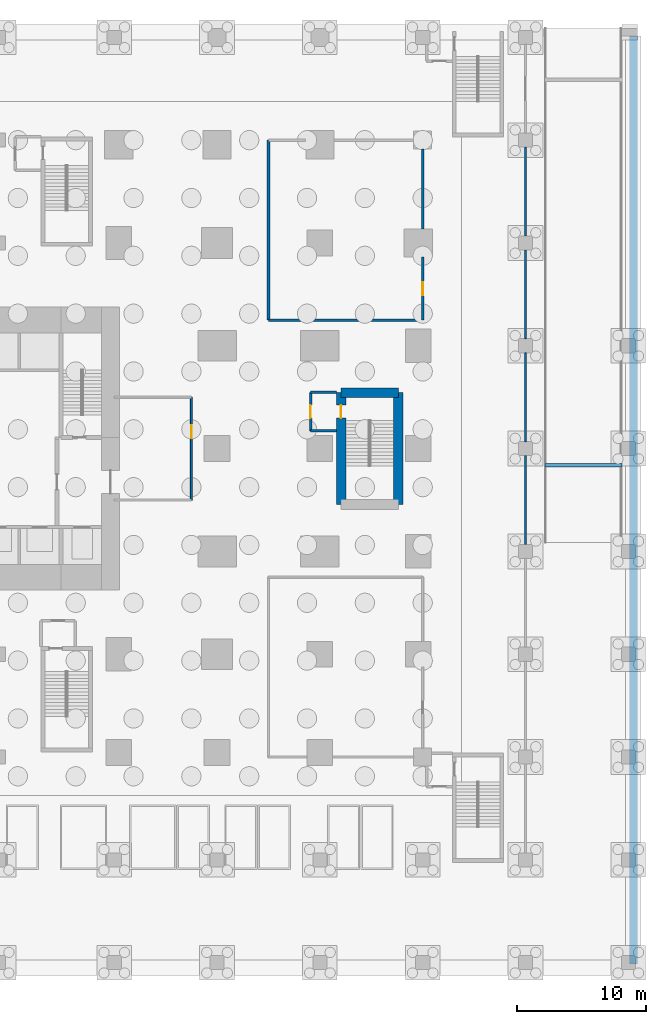
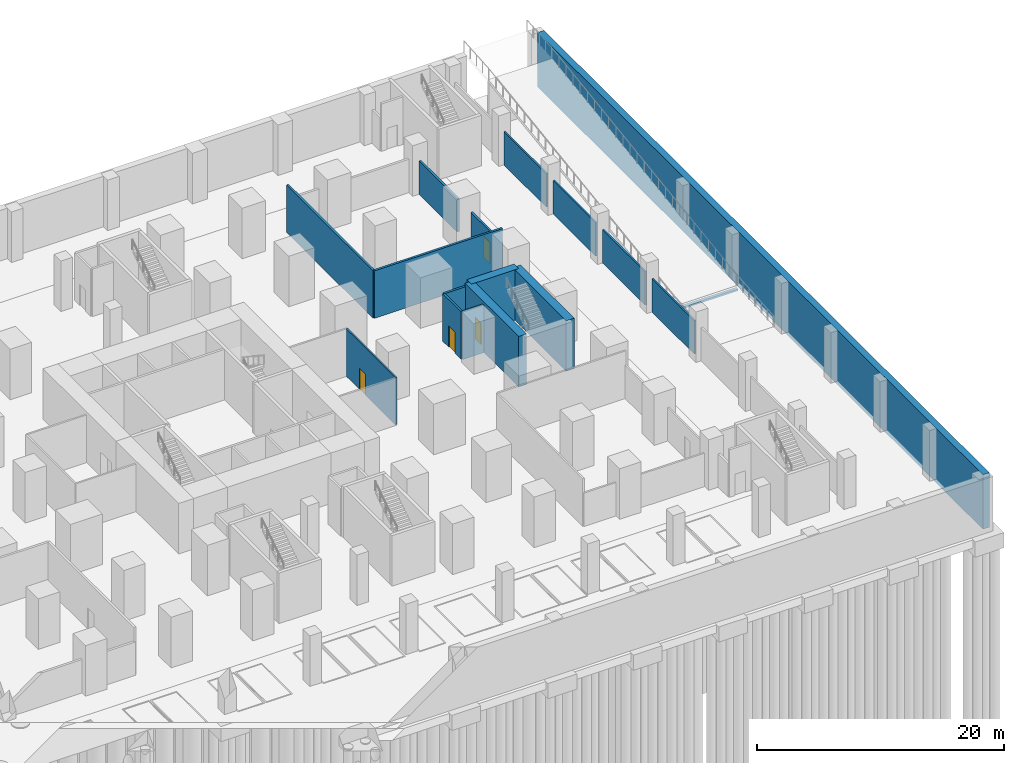
# One storey, part 9 of 17: 17 walls, 4 doors, 4 openings.
"""IFC4 building model written with IfcOpenShell, lengths in metres."""

from ifc_helpers import new_model, si_unit, direction, frame, frame_2d, origin, place, context, subcontext, project, spatial, rectangle, extrude, material, layer, layer_set, type_object, element, fill, save


model = new_model("IFC4")

# Units and contexts
model_context = context("Model", 3, precision=1e-05, world=origin(), true_north=direction((0.0, 1.0)))
body_context = subcontext(model_context, "Body", "Model", "MODEL_VIEW")
ifc_project = project(units=[si_unit("LENGTHUNIT", "METRE"), si_unit("AREAUNIT", "SQUARE_METRE"), si_unit("VOLUMEUNIT", "CUBIC_METRE"), si_unit("PLANEANGLEUNIT", "RADIAN"), si_unit("MASSUNIT", "GRAM", prefix="KILO")], contexts=[model_context])

# Site, building, storey
site_placement = place(None, origin())
site = spatial("IfcSite", under=ifc_project, at=site_placement, CompositionType="ELEMENT")
building_placement = place(site_placement, origin())
building = spatial("IfcBuilding", under=site, at=building_placement, Name="Cleftline Residences", CompositionType="ELEMENT")
storey_placement = place(building_placement, frame((0.0, 0.0, -5.0)))
storey = spatial("IfcBuildingStorey", under=building, at=storey_placement, Name="L-01", CompositionType="ELEMENT", Elevation=-5.0)

# Walls
ifc_material_1 = material(Name="Concrete blockwork, fire rated", Category="masonry")
ifc_layer_1 = layer(ifc_material_1, 0.199951171875)
ifc_layer_set_1 = layer_set([ifc_layer_1], Name="FIRE WALL 200")
wall_type_1 = type_object("IfcWallType", Name="FIRE WALL 200", PredefinedType="PARTITIONING", material=ifc_layer_set_1)
for number, where, z_axis, x_axis, name in (
    (1, (57.27490234375, 25.375, 0.0), (0.0, 0.0, 1.0), (1.0, 0.0, 0.0), "Fire separating wall"),
    (2, (57.27490234375, 28.375, 0.0), (0.0, 0.0, 1.0), (1.0, 0.0, 0.0), "Fire separating wall"),
):
    element("IfcWall", number, at=place(storey_placement, frame(where, z_axis=z_axis, x_axis=x_axis)), inside=storey, type_object=wall_type_1, Name=name, PredefinedType="PARTITIONING", context=body_context, shape_type="SweptSolid", body=[
        extrude(rectangle(XDim=2.0, YDim=0.199951171875, at=frame_2d((1.0, 0.0))), origin(), (0.0, 0.0, 1.0), 4.699951171875),
    ])
wall_1_placement = place(storey_placement, frame((54.0, 34.0, 0.0), z_axis=(0.0, 0.0, 1.0), x_axis=(1.0, 0.0, 0.0)))
element("IfcWall", 3, at=wall_1_placement, inside=storey, type_object=wall_type_1, Name="Fire separating wall", PredefinedType="PARTITIONING", context=body_context, shape_type="SweptSolid", body=[
    extrude(rectangle(XDim=12.0, YDim=0.199951171875, at=frame_2d((6.0, 0.0))), origin(), (0.0, 0.0, 1.0), 4.699951171875),
])
wall_2_placement = place(storey_placement, frame((54.0, 34.0, 0.0), z_axis=(0.0, 0.0, 1.0), x_axis=(0.0, 1.0, 0.0)))
element("IfcWall", 4, at=wall_2_placement, inside=storey, type_object=wall_type_1, Name="Fire separating wall", PredefinedType="PARTITIONING", context=body_context, shape_type="SweptSolid", body=[
    extrude(rectangle(XDim=14.0, YDim=0.199951171875, at=frame_2d((7.0, 0.0))), origin(), (0.0, 0.0, 1.0), 4.699951171875),
])

# Wall, opening, door
wall_3_placement = place(storey_placement, frame((57.27490234375, 25.375, 0.0), z_axis=(0.0, 0.0, 1.0), x_axis=(0.0, 1.0, 0.0)))
wall_3 = element("IfcWall", 5, at=wall_3_placement, inside=storey, type_object=wall_type_1, Name="Fire separating wall", PredefinedType="PARTITIONING", context=body_context, shape_type="SweptSolid", body=[
    extrude(rectangle(XDim=3.0, YDim=0.199951171875, at=frame_2d((1.5, 0.0))), origin(), (0.0, 0.0, 1.0), 4.699951171875),
])
opening_1_placement = place(wall_3_placement, frame((1.0, 0.0, 0.0)))
opening_1 = element("IfcOpeningElement", 6, at=opening_1_placement, cuts=wall_3, Name="Opening D2F60", PredefinedType="OPENING", context=body_context, shape_type="SweptSolid", body=[
    extrude(rectangle(XDim=1.0, YDim=2.10009765625, at=frame_2d((0.5, 1.050048828125))), frame((0.0, 0.10986328125, 0.0), z_axis=(0.0, -1.0, 0.0), x_axis=(1.0, 0.0, 0.0)), (0.0, 0.0, 1.0), 0.219970703125),
])
ifc_material_2 = material(Name="Timber veneer on solid core", Category="wood")
door_type_1 = type_object("IfcDoorType", Name="DOOR 1000X2100 EI 60", OperationType="SINGLE_SWING_LEFT", PredefinedType="DOOR", material=ifc_material_2)
door_1_placement = place(opening_1_placement, origin())
door_1 = element("IfcDoor", 7, at=door_1_placement, inside=storey, type_object=door_type_1, Name="Door to stair e lobby", OperationType="SINGLE_SWING_LEFT", OverallHeight=2.10009765625, OverallWidth=1.0, PredefinedType="DOOR", context=body_context, shape_type="SweptSolid", body=[
    extrude(rectangle(XDim=1.0, YDim=2.10009765625, at=frame_2d((0.5, 1.050048828125))), frame((0.0, 0.02490234375, 0.0), z_axis=(0.0, -1.0, 0.0), x_axis=(1.0, 0.0, 0.0)), (0.0, 0.0, 1.0), 0.050048828125),
])
fill(opening_1, door_1)

wall_4_placement = place(storey_placement, frame((66.0, 34.0, 0.0), z_axis=(0.0, 0.0, 1.0), x_axis=(0.0, 1.0, 0.0)))
wall_4 = element("IfcWall", 8, at=wall_4_placement, inside=storey, type_object=wall_type_1, Name="Fire separating wall", PredefinedType="PARTITIONING", context=body_context, shape_type="SweptSolid", body=[
    extrude(rectangle(XDim=4.89990234375, YDim=0.199951171875, at=frame_2d((2.449951171875, 0.0))), origin(), (0.0, 0.0, 1.0), 3.300048828125),
])
opening_2_placement = place(wall_4_placement, frame((1.949951171875, 0.0, 0.0)))
opening_2 = element("IfcOpeningElement", 9, at=opening_2_placement, cuts=wall_4, Name="Opening D2F60", PredefinedType="OPENING", context=body_context, shape_type="SweptSolid", body=[
    extrude(rectangle(XDim=1.0, YDim=2.10009765625, at=frame_2d((0.5, 1.050048828125))), frame((0.0, 0.10986328125, 0.0), z_axis=(0.0, -1.0, 0.0), x_axis=(1.0, 0.0, 0.0)), (0.0, 0.0, 1.0), 0.219970703125),
])
door_2_placement = place(opening_2_placement, origin())
door_2 = element("IfcDoor", 10, at=door_2_placement, inside=storey, type_object=door_type_1, Name="Door to fire pump and water tank room", OperationType="SINGLE_SWING_LEFT", OverallHeight=2.10009765625, OverallWidth=1.0, PredefinedType="DOOR", context=body_context, shape_type="SweptSolid", body=[
    extrude(rectangle(XDim=1.0, YDim=2.10009765625, at=frame_2d((0.5, 1.050048828125))), frame((0.0, 0.02490234375, 0.0), z_axis=(0.0, -1.0, 0.0), x_axis=(1.0, 0.0, 0.0)), (0.0, 0.0, 1.0), 0.050048828125),
])
fill(opening_2, door_2)

# Wall
wall_5_placement = place(storey_placement, frame((66.0, 41.10009765625, 0.0), z_axis=(0.0, 0.0, 1.0), x_axis=(0.0, 1.0, 0.0)))
element("IfcWall", 11, at=wall_5_placement, inside=storey, type_object=wall_type_1, Name="Fire separating wall", PredefinedType="PARTITIONING", context=body_context, shape_type="SweptSolid", body=[
    extrude(rectangle(XDim=6.199951171875, YDim=0.199951171875, at=frame_2d((3.10009765625, 0.0))), origin(), (0.0, 0.0, 1.0), 3.300048828125),
])

# Wall, opening, door
ifc_material_3 = material(Name="Gypsum board on steel studs", Category="steel")
ifc_layer_2 = layer(ifc_material_3, 0.14990234375)
ifc_layer_set_2 = layer_set([ifc_layer_2], Name="PARTITION 150")
wall_type_2 = type_object("IfcWallType", Name="PARTITION 150", PredefinedType="PARTITIONING", material=ifc_layer_set_2)
wall_6_placement = place(storey_placement, frame((48.0, 20.0, 0.0), z_axis=(0.0, 0.0, 1.0), x_axis=(0.0, 1.0, 0.0)))
wall_6 = element("IfcWall", 12, at=wall_6_placement, inside=storey, type_object=wall_type_2, Name="Partition", PredefinedType="PARTITIONING", context=body_context, shape_type="SweptSolid", body=[
    extrude(rectangle(XDim=8.0, YDim=0.14990234375, at=frame_2d((4.0, 0.0))), origin(), (0.0, 0.0, 1.0), 4.699951171875),
])
opening_3_placement = place(wall_6_placement, frame((4.800048828125, 0.0, 0.0)))
opening_3 = element("IfcOpeningElement", 13, at=opening_3_placement, cuts=wall_6, Name="Opening D2F30", PredefinedType="OPENING", context=body_context, shape_type="SweptSolid", body=[
    extrude(rectangle(XDim=1.0, YDim=2.10009765625, at=frame_2d((0.5, 1.050048828125))), frame((0.0, 0.0849609375, 0.0), z_axis=(0.0, -1.0, 0.0), x_axis=(1.0, 0.0, 0.0)), (0.0, 0.0, 1.0), 0.169921875),
])
ifc_material_4 = material(Name="Timber veneer on solid core", Category="wood")
door_type_2 = type_object("IfcDoorType", Name="DOOR 1000X2100 EI 30", OperationType="SINGLE_SWING_LEFT", PredefinedType="DOOR", material=ifc_material_4)
door_3_placement = place(opening_3_placement, origin())
door_3 = element("IfcDoor", 14, at=door_3_placement, inside=storey, type_object=door_type_2, Name="Door to basement lift lobby east", OperationType="SINGLE_SWING_LEFT", OverallHeight=2.10009765625, OverallWidth=1.0, PredefinedType="DOOR", context=body_context, shape_type="SweptSolid", body=[
    extrude(rectangle(XDim=1.0, YDim=2.10009765625, at=frame_2d((0.5, 1.050048828125))), frame((0.0, 0.02490234375, 0.0), z_axis=(0.0, -1.0, 0.0), x_axis=(1.0, 0.0, 0.0)), (0.0, 0.0, 1.0), 0.050048828125),
])
fill(opening_3, door_3)

# Walls
for number, where, z_axis, x_axis, name in (
    (15, (74.0, 16.550048828125, 0.0), (0.0, 0.0, 1.0), (0.0, 1.0, 0.0), "Partition"),
    (16, (74.0, 24.550048828125, 0.0), (0.0, 0.0, 1.0), (0.0, 1.0, 0.0), "Partition"),
    (17, (74.0, 32.550048828125, 0.0), (0.0, 0.0, 1.0), (0.0, 1.0, 0.0), "Partition"),
    (18, (74.0, 40.550048828125, 0.0), (0.0, 0.0, 1.0), (0.0, 1.0, 0.0), "Partition"),
):
    element("IfcWall", number, at=place(storey_placement, frame(where, z_axis=z_axis, x_axis=x_axis)), inside=storey, type_object=wall_type_2, Name=name, PredefinedType="PARTITIONING", context=body_context, shape_type="SweptSolid", body=[
        extrude(rectangle(XDim=6.89990234375, YDim=0.14990234375, at=frame_2d((3.449951171875, 0.0))), origin(), (0.0, 0.0, 1.0), 3.300048828125),
    ])
ifc_material_5 = material(Name="Concrete B45", Category="concrete")
ifc_layer_3 = layer(ifc_material_5, 0.300048828125)
ifc_layer_set_3 = layer_set([ifc_layer_3], Name="RAMP SUPPORT WALL 300")
wall_type_3 = type_object("IfcWallType", Name="RAMP SUPPORT WALL 300", PredefinedType="SOLIDWALL", material=ifc_layer_set_3)
wall_7_placement = place(storey_placement, frame((75.5, 22.699951171875, 0.0), z_axis=(0.0, 0.0, 1.0), x_axis=(1.0, 0.0, 0.0)))
element("IfcWall", 19, at=wall_7_placement, inside=storey, type_object=wall_type_3, Name="Car park ramp support wall", PredefinedType="SOLIDWALL", context=body_context, shape_type="SweptSolid", body=[
    extrude(rectangle(XDim=6.0, YDim=0.300048828125, at=frame_2d((3.0, 0.0))), origin(), (0.0, 0.0, 1.0), 0.1689453125),
])
ifc_material_6 = material(Name="Concrete B40", Category="concrete")
ifc_layer_4 = layer(ifc_material_6, 0.60009765625)
ifc_layer_set_4 = layer_set([ifc_layer_4], Name="RETAINING WALL 600")
wall_type_4 = type_object("IfcWallType", Name="RETAINING WALL 600", PredefinedType="USERDEFINED", material=ifc_layer_set_4)
wall_8_placement = place(storey_placement, frame((82.39990234375, -16.10009765625, -0.39990234375), z_axis=(0.0, 0.0, 1.0), x_axis=(0.0, 1.0, 0.0)))
element("IfcWall", 20, at=wall_8_placement, inside=storey, type_object=wall_type_4, Name="Basement retaining wall", ObjectType="RETAINING WALL", PredefinedType="USERDEFINED", context=body_context, shape_type="SweptSolid", body=[
    extrude(rectangle(XDim=72.2001953125, YDim=0.60009765625, at=frame_2d((36.10009765625, 0.0))), origin(), (0.0, 0.0, 1.0), 5.39990234375),
])
ifc_material_7 = material(Name="Concrete B70", Category="concrete")
ifc_layer_5 = layer(ifc_material_7, 0.75)
ifc_layer_set_5 = layer_set([ifc_layer_5], Name="SHEAR WALL 750")
wall_type_5 = type_object("IfcWallType", Name="SHEAR WALL 750", PredefinedType="SHEAR", material=ifc_layer_set_5)
wall_9_placement = place(storey_placement, frame((64.10009765625, 19.64990234375, 0.0), z_axis=(0.0, 0.0, 1.0), x_axis=(0.0, 1.0, 0.0)))
element("IfcWall", 21, at=wall_9_placement, inside=storey, type_object=wall_type_5, Name="Wing shear wall", PredefinedType="SHEAR", context=body_context, shape_type="SweptSolid", body=[
    extrude(rectangle(XDim=8.7001953125, YDim=0.75, at=frame_2d((4.35009765625, 0.0))), origin(), (0.0, 0.0, 1.0), 5.0),
])
wall_10_placement = place(storey_placement, frame((64.10009765625, 28.35009765625, 0.0), z_axis=(0.0, 0.0, 1.0), x_axis=(-1.0, 0.0, 0.0)))
element("IfcWall", 22, at=wall_10_placement, inside=storey, type_object=wall_type_5, Name="Wing shear wall", PredefinedType="SHEAR", context=body_context, shape_type="SweptSolid", body=[
    extrude(rectangle(XDim=4.4501953125, YDim=0.75, at=frame_2d((2.22509765625, 0.0))), origin(), (0.0, 0.0, 1.0), 5.0),
])

# Wall, opening, door
wall_11_placement = place(storey_placement, frame((59.64990234375, 28.35009765625, 0.0), z_axis=(0.0, 0.0, 1.0), x_axis=(0.0, -1.0, 0.0)))
wall_11 = element("IfcWall", 23, at=wall_11_placement, inside=storey, type_object=wall_type_5, Name="Wing shear wall", PredefinedType="SHEAR", context=body_context, shape_type="SweptSolid", body=[
    extrude(rectangle(XDim=8.7001953125, YDim=0.75, at=frame_2d((4.35009765625, 0.0))), origin(), (0.0, 0.0, 1.0), 5.0),
])
opening_4_placement = place(wall_11_placement, frame((0.97509765625, 0.0, 0.0)))
opening_4 = element("IfcOpeningElement", 24, at=opening_4_placement, cuts=wall_11, Name="Opening D5", PredefinedType="OPENING", context=body_context, shape_type="SweptSolid", body=[
    extrude(rectangle(XDim=1.0, YDim=2.10009765625, at=frame_2d((0.5, 1.050048828125))), frame((0.0, 0.385009765625, 0.0), z_axis=(0.0, -1.0, 0.0), x_axis=(1.0, 0.0, 0.0)), (0.0, 0.0, 1.0), 0.77001953125),
])
ifc_material_8 = material(Name="Steel", Category="steel")
door_type_3 = type_object("IfcDoorType", Name="STAIR DOOR 1000X2100", OperationType="SINGLE_SWING_LEFT", PredefinedType="DOOR", material=ifc_material_8)
door_4_placement = place(opening_4_placement, origin())
door_4 = element("IfcDoor", 25, at=door_4_placement, inside=storey, type_object=door_type_3, Name="Stair E door", OperationType="SINGLE_SWING_RIGHT", OverallHeight=2.10009765625, OverallWidth=1.0, PredefinedType="DOOR", context=body_context, shape_type="SweptSolid", body=[
    extrude(rectangle(XDim=1.0, YDim=2.10009765625, at=frame_2d((0.5, 1.050048828125))), frame((0.0, 0.02490234375, 0.0), z_axis=(0.0, -1.0, 0.0), x_axis=(1.0, 0.0, 0.0)), (0.0, 0.0, 1.0), 0.050048828125),
])
fill(opening_4, door_4)

save(model, "model.ifc")
